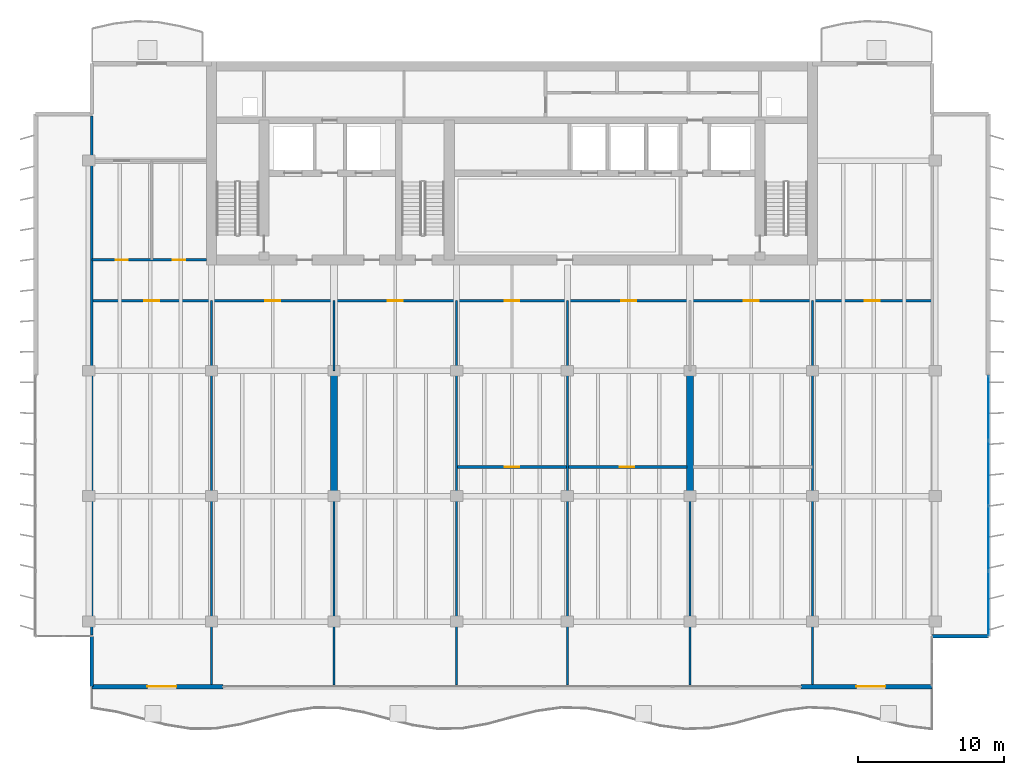
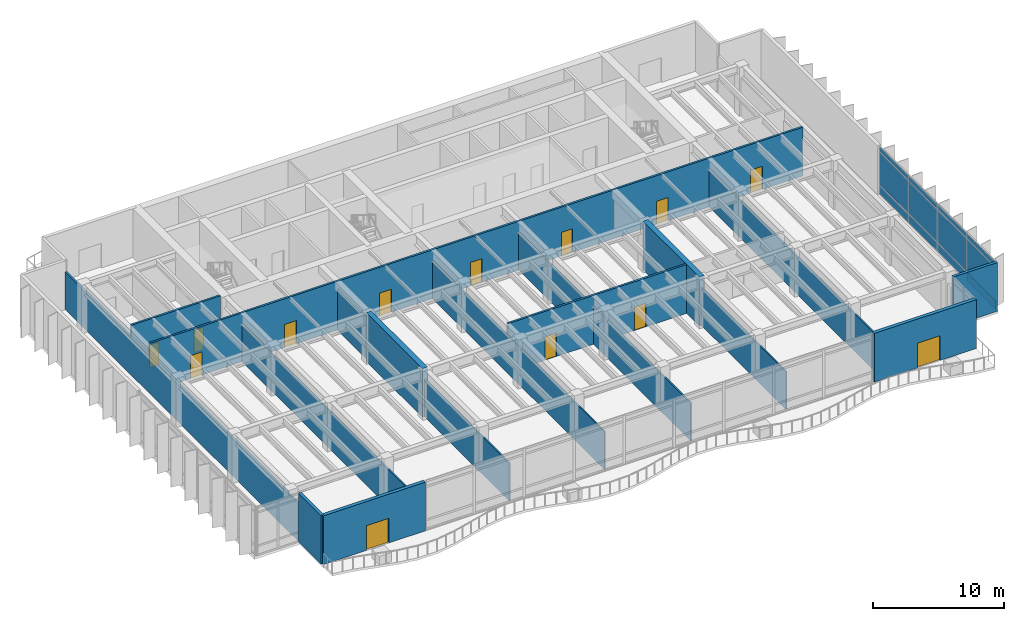
# One storey, part 8 of 15: 17 walls, 13 doors, 12 plates, 13 openings, 1 element without a shape of its own.
"""IFC4 building model written with IfcOpenShell, lengths in metres."""

from ifc_helpers import new_model, si_unit, direction, frame, frame_2d, origin, origin_2d, place, context, subcontext, project, spatial, rectangle, extrude, material, layer, layer_set, type_object, element, fill, aggregate, save


model = new_model("IFC4")

# Units and contexts
model_context = context("Model", 3, precision=1e-05, world=origin(), true_north=direction((0.0, 1.0)))
body_context = subcontext(model_context, "Body", "Model", "MODEL_VIEW")
ifc_project = project(units=[si_unit("LENGTHUNIT", "METRE"), si_unit("AREAUNIT", "SQUARE_METRE"), si_unit("VOLUMEUNIT", "CUBIC_METRE"), si_unit("PLANEANGLEUNIT", "RADIAN"), si_unit("MASSUNIT", "GRAM", prefix="KILO")], contexts=[model_context])

# Site, building, storey
site_placement = place(None, origin())
site = spatial("IfcSite", under=ifc_project, at=site_placement, CompositionType="ELEMENT")
building_placement = place(site_placement, origin())
building = spatial("IfcBuilding", under=site, at=building_placement, Name="Caelmar Bay Residences", CompositionType="ELEMENT")
storey_placement = place(building_placement, frame((0.0, 0.0, 183.60009765625)))
storey = spatial("IfcBuildingStorey", under=building, at=storey_placement, Name="L51", CompositionType="ELEMENT", Elevation=183.60009765625)

# Curtain wall, plates
ifc_material_1 = material(Name="Anodised bronze aluminium 6063-T6 and laminated glass", Category="aluminium")
ifc_layer_1 = layer(ifc_material_1, 0.179931640625)
ifc_layer_set_1 = layer_set([ifc_layer_1], Name="Anodised bronze aluminium 6063-T6 and laminated glass")
curtain_wall_type = type_object("IfcCurtainWallType", Name="CW7-CRN", PredefinedType="NOTDEFINED", material=ifc_layer_set_1)
curtain_wall_placement = place(storey_placement, origin())
curtain_wall = element("IfcCurtainWall", 1, at=curtain_wall_placement, inside=storey, type_object=curtain_wall_type, Name="CW7 curtain wall L51", PredefinedType="NOTDEFINED")
ifc_material_2 = material(Name="Bronze-tinted laminated low-E hurricane glass 32 mm", Category="glass")
ifc_layer_2 = layer(ifc_material_2, 0.031982421875)
ifc_layer_set_2 = layer_set([ifc_layer_2], Name="Bronze-tinted laminated low-E hurricane glass 32 mm")
plate_type = type_object("IfcPlateType", Name="CWP-GLZ32", PredefinedType="CURTAIN_PANEL", material=ifc_layer_set_2)
plate_1_placement = place(storey_placement, frame((71.550048828125, 26.842529296875, 0.080078125), z_axis=(0.0, 0.0, 1.0), x_axis=(0.0, -1.0, 0.0)))
plate_1 = element("IfcPlate", 2, at=plate_1_placement, type_object=plate_type, Name="CW7 panel 1.1", PredefinedType="CURTAIN_PANEL", context=body_context, shape_type="SweptSolid", body=[
    extrude(rectangle(XDim=4.35498046875, YDim=0.031982421875, at=origin_2d()), origin(), (0.0, 0.0, 1.0), 0.780029296875),
])
plate_2_placement = place(storey_placement, frame((71.550048828125, 26.842529296875, 0.93994140625), z_axis=(0.0, 0.0, 1.0), x_axis=(0.0, -1.0, 0.0)))
plate_2 = element("IfcPlate", 3, at=plate_2_placement, type_object=plate_type, Name="CW7 panel 1.2", PredefinedType="CURTAIN_PANEL", context=body_context, shape_type="SweptSolid", body=[
    extrude(rectangle(XDim=4.35498046875, YDim=0.031982421875, at=origin_2d()), origin(), (0.0, 0.0, 1.0), 3.02001953125),
])
plate_3_placement = place(storey_placement, frame((71.550048828125, 26.842529296875, 4.0400390625), z_axis=(0.0, 0.0, 1.0), x_axis=(0.0, -1.0, 0.0)))
plate_3 = element("IfcPlate", 4, at=plate_3_placement, type_object=plate_type, Name="CW7 panel 1.3", PredefinedType="CURTAIN_PANEL", context=body_context, shape_type="SweptSolid", body=[
    extrude(rectangle(XDim=4.35498046875, YDim=0.031982421875, at=origin_2d()), origin(), (0.0, 0.0, 1.0), 0.429931640625),
])
plate_4_placement = place(storey_placement, frame((71.550048828125, 22.387451171875, 0.080078125), z_axis=(0.0, 0.0, 1.0), x_axis=(0.0, -1.0, 0.0)))
plate_4 = element("IfcPlate", 5, at=plate_4_placement, type_object=plate_type, Name="CW7 panel 2.1", PredefinedType="CURTAIN_PANEL", context=body_context, shape_type="SweptSolid", body=[
    extrude(rectangle(XDim=4.39501953125, YDim=0.031982421875, at=origin_2d()), origin(), (0.0, 0.0, 1.0), 0.780029296875),
])
plate_5_placement = place(storey_placement, frame((71.550048828125, 22.387451171875, 0.93994140625), z_axis=(0.0, 0.0, 1.0), x_axis=(0.0, -1.0, 0.0)))
plate_5 = element("IfcPlate", 6, at=plate_5_placement, type_object=plate_type, Name="CW7 panel 2.2", PredefinedType="CURTAIN_PANEL", context=body_context, shape_type="SweptSolid", body=[
    extrude(rectangle(XDim=4.39501953125, YDim=0.031982421875, at=origin_2d()), origin(), (0.0, 0.0, 1.0), 3.02001953125),
])
plate_6_placement = place(storey_placement, frame((71.550048828125, 22.387451171875, 4.0400390625), z_axis=(0.0, 0.0, 1.0), x_axis=(0.0, -1.0, 0.0)))
plate_6 = element("IfcPlate", 7, at=plate_6_placement, type_object=plate_type, Name="CW7 panel 2.3", PredefinedType="CURTAIN_PANEL", context=body_context, shape_type="SweptSolid", body=[
    extrude(rectangle(XDim=4.39501953125, YDim=0.031982421875, at=origin_2d()), origin(), (0.0, 0.0, 1.0), 0.429931640625),
])
plate_7_placement = place(storey_placement, frame((71.550048828125, 17.91259765625, 0.080078125), z_axis=(0.0, 0.0, 1.0), x_axis=(0.0, -1.0, 0.0)))
plate_7 = element("IfcPlate", 8, at=plate_7_placement, type_object=plate_type, Name="CW7 panel 3.1", PredefinedType="CURTAIN_PANEL", context=body_context, shape_type="SweptSolid", body=[
    extrude(rectangle(XDim=4.39501953125, YDim=0.031982421875, at=origin_2d()), origin(), (0.0, 0.0, 1.0), 0.780029296875),
])
plate_8_placement = place(storey_placement, frame((71.550048828125, 17.91259765625, 0.93994140625), z_axis=(0.0, 0.0, 1.0), x_axis=(0.0, -1.0, 0.0)))
plate_8 = element("IfcPlate", 9, at=plate_8_placement, type_object=plate_type, Name="CW7 panel 3.2", PredefinedType="CURTAIN_PANEL", context=body_context, shape_type="SweptSolid", body=[
    extrude(rectangle(XDim=4.39501953125, YDim=0.031982421875, at=origin_2d()), origin(), (0.0, 0.0, 1.0), 3.02001953125),
])
plate_9_placement = place(storey_placement, frame((71.550048828125, 17.91259765625, 4.0400390625), z_axis=(0.0, 0.0, 1.0), x_axis=(0.0, -1.0, 0.0)))
plate_9 = element("IfcPlate", 10, at=plate_9_placement, type_object=plate_type, Name="CW7 panel 3.3", PredefinedType="CURTAIN_PANEL", context=body_context, shape_type="SweptSolid", body=[
    extrude(rectangle(XDim=4.39501953125, YDim=0.031982421875, at=origin_2d()), origin(), (0.0, 0.0, 1.0), 0.429931640625),
])
plate_10_placement = place(storey_placement, frame((71.550048828125, 13.45751953125, 0.080078125), z_axis=(0.0, 0.0, 1.0), x_axis=(0.0, -1.0, 0.0)))
plate_10 = element("IfcPlate", 11, at=plate_10_placement, type_object=plate_type, Name="CW7 panel 4.1", PredefinedType="CURTAIN_PANEL", context=body_context, shape_type="SweptSolid", body=[
    extrude(rectangle(XDim=4.35498046875, YDim=0.031982421875, at=origin_2d()), origin(), (0.0, 0.0, 1.0), 0.780029296875),
])
plate_11_placement = place(storey_placement, frame((71.550048828125, 13.45751953125, 0.93994140625), z_axis=(0.0, 0.0, 1.0), x_axis=(0.0, -1.0, 0.0)))
plate_11 = element("IfcPlate", 12, at=plate_11_placement, type_object=plate_type, Name="CW7 panel 4.2", PredefinedType="CURTAIN_PANEL", context=body_context, shape_type="SweptSolid", body=[
    extrude(rectangle(XDim=4.35498046875, YDim=0.031982421875, at=origin_2d()), origin(), (0.0, 0.0, 1.0), 3.02001953125),
])
plate_12_placement = place(storey_placement, frame((71.550048828125, 13.45751953125, 4.0400390625), z_axis=(0.0, 0.0, 1.0), x_axis=(0.0, -1.0, 0.0)))
plate_12 = element("IfcPlate", 13, at=plate_12_placement, type_object=plate_type, Name="CW7 panel 4.3", PredefinedType="CURTAIN_PANEL", context=body_context, shape_type="SweptSolid", body=[
    extrude(rectangle(XDim=4.35498046875, YDim=0.031982421875, at=origin_2d()), origin(), (0.0, 0.0, 1.0), 0.429931640625),
])
aggregate(curtain_wall, [plate_1, plate_2, plate_3, plate_4, plate_5, plate_6, plate_7, plate_8, plate_9, plate_10, plate_11, plate_12])

# Walls
ifc_material_3 = material(Name="Concrete f'c 55 MPa (8,000 psi)", Category="concrete")
ifc_layer_3 = layer(ifc_material_3, 0.449951171875)
ifc_layer_set_3 = layer_set([ifc_layer_3], Name="Concrete f'c 55 MPa (8,000 psi)")
wall_type_1 = type_object("IfcWallType", Name="SW-XSLB-450", PredefinedType="SHEAR", material=ifc_layer_set_3)
for number, where, z_axis, x_axis, name in (
    (14, (26.699951171875, 20.800048828125, 0.0), (0.0, 0.0, 1.0), (0.0, 1.0, 0.0), "L51 Transverse Cross-Slab Shear Wall W5"),
    (15, (51.10009765625, 20.800048828125, 0.0), (0.0, 0.0, 1.0), (0.0, 1.0, 0.0), "L51 Transverse Cross-Slab Shear Wall E8"),
):
    element("IfcWall", number, at=place(storey_placement, frame(where, z_axis=z_axis, x_axis=x_axis)), inside=storey, type_object=wall_type_1, Name=name, PredefinedType="SHEAR", context=body_context, shape_type="SweptSolid", body=[
        extrude(rectangle(XDim=8.599853515625, YDim=0.449951171875, at=frame_2d((4.2998046875, 0.0))), origin(), (0.0, 0.0, 1.0), 4.5498046875),
    ])
ifc_material_4 = material(Name="Double-stud acoustic fire-rated gypsum partition 180 mm")
ifc_layer_4 = layer(ifc_material_4, 0.179931640625)
ifc_layer_set_4 = layer_set([ifc_layer_4], Name="Double-stud acoustic fire-rated gypsum partition 180 mm")
wall_type_2 = type_object("IfcWallType", Name="W-COR-200", PredefinedType="PARTITIONING", material=ifc_layer_set_4)
wall_1_placement = place(storey_placement, frame((10.10009765625, 11.284912109375, 0.0), z_axis=(0.0, 0.0, 1.0), x_axis=(0.0, 1.0, 0.0)))
element("IfcWall", 16, at=wall_1_placement, inside=storey, type_object=wall_type_2, Name="L51 Partition Wall V001", PredefinedType="PARTITIONING", context=body_context, shape_type="SweptSolid", body=[
    extrude(rectangle(XDim=35.594970703125, YDim=0.179931640625, at=frame_2d((17.79736328125, 0.0))), origin(), (0.0, 0.0, 1.0), 3.513916015625),
])

# Wall, openings, doors
wall_2_placement = place(storey_placement, frame((35.10009765625, 22.800048828125, 0.0), z_axis=(0.0, 0.0, 1.0), x_axis=(1.0, 0.0, 0.0)))
wall_2 = element("IfcWall", 17, at=wall_2_placement, inside=storey, type_object=wall_type_2, Name="L51 Partition Wall H027", PredefinedType="PARTITIONING", context=body_context, shape_type="SweptSolid", body=[
    extrude(rectangle(XDim=15.77978515625, YDim=0.179931640625, at=frame_2d((7.889892578125, 0.0))), origin(), (0.0, 0.0, 1.0), 4.5498046875),
])
opening_1_placement = place(wall_2_placement, frame((3.300048828125, 0.0, 0.0)))
opening_1 = element("IfcOpeningElement", 18, at=opening_1_placement, cuts=wall_2, Name="Opening D-L51-134", PredefinedType="OPENING", context=body_context, shape_type="SweptSolid", body=[
    extrude(rectangle(XDim=1.0, YDim=2.199951171875, at=frame_2d((0.5, 1.10009765625))), frame((0.0, 0.099853515625, 0.0), z_axis=(0.0, -1.0, 0.0), x_axis=(1.0, 0.0, 0.0)), (0.0, 0.0, 1.0), 0.199951171875),
])
opening_2_placement = place(wall_2_placement, frame((11.18994140625, 0.0, 0.0)))
opening_2 = element("IfcOpeningElement", 19, at=opening_2_placement, cuts=wall_2, Name="Opening D-L51-135", PredefinedType="OPENING", context=body_context, shape_type="SweptSolid", body=[
    extrude(rectangle(XDim=1.0, YDim=2.199951171875, at=frame_2d((0.5, 1.10009765625))), frame((0.0, 0.099853515625, 0.0), z_axis=(0.0, -1.0, 0.0), x_axis=(1.0, 0.0, 0.0)), (0.0, 0.0, 1.0), 0.199951171875),
])
ifc_material_5 = material(Name="Fire-rated steel and walnut architectural door assembly", Category="steel")
ifc_layer_5 = layer(ifc_material_5, 0.050048828125)
ifc_layer_set_5 = layer_set([ifc_layer_5], Name="Fire-rated steel and walnut architectural door assembly")
door_type_1 = type_object("IfcDoorType", Name="D-UNIT-1000", OperationType="NOTDEFINED", PredefinedType="DOOR", material=ifc_layer_set_5)
door_1_placement = place(opening_1_placement, origin())
door_1 = element("IfcDoor", 20, at=door_1_placement, inside=storey, type_object=door_type_1, Name="L51 Sky Lobby 2 Executive Study Door", OperationType="SINGLE_SWING_RIGHT", OverallHeight=2.199951171875, OverallWidth=1.0, PredefinedType="DOOR", context=body_context, shape_type="SweptSolid", body=[
    extrude(rectangle(XDim=1.0, YDim=2.199951171875, at=frame_2d((0.5, 1.10009765625))), frame((0.0, 0.02490234375, 0.0), z_axis=(0.0, -1.0, 0.0), x_axis=(1.0, 0.0, 0.0)), (0.0, 0.0, 1.0), 0.050048828125),
])
fill(opening_1, door_1)
door_2_placement = place(opening_2_placement, origin())
door_2 = element("IfcDoor", 21, at=door_2_placement, inside=storey, type_object=door_type_1, Name="L51 Sky Lobby 2 Reading Room Door", OperationType="SINGLE_SWING_LEFT", OverallHeight=2.199951171875, OverallWidth=1.0, PredefinedType="DOOR", context=body_context, shape_type="SweptSolid", body=[
    extrude(rectangle(XDim=1.0, YDim=2.199951171875, at=frame_2d((0.5, 1.10009765625))), frame((0.0, 0.02490234375, 0.0), z_axis=(0.0, -1.0, 0.0), x_axis=(1.0, 0.0, 0.0)), (0.0, 0.0, 1.0), 0.050048828125),
])
fill(opening_2, door_2)

wall_3_placement = place(storey_placement, frame((10.10009765625, 34.199951171875, 0.0), z_axis=(0.0, 0.0, 1.0), x_axis=(1.0, 0.0, 0.0)))
wall_3 = element("IfcWall", 22, at=wall_3_placement, inside=storey, type_object=wall_type_2, Name="L51 Partition Wall H029", PredefinedType="PARTITIONING", context=body_context, shape_type="SweptSolid", body=[
    extrude(rectangle(XDim=57.599853515625, YDim=0.179931640625, at=frame_2d((28.7998046875, 0.0))), origin(), (0.0, 0.0, 1.0), 4.5498046875),
])
opening_3_placement = place(wall_3_placement, frame((44.675048828125, 0.0, 0.0)))
opening_3 = element("IfcOpeningElement", 23, at=opening_3_placement, cuts=wall_3, Name="Opening D-L51-123", PredefinedType="OPENING", context=body_context, shape_type="SweptSolid", body=[
    extrude(rectangle(XDim=1.050048828125, YDim=2.14990234375, at=frame_2d((0.52490234375, 1.074951171875))), frame((0.0, 0.099853515625, 0.0), z_axis=(0.0, -1.0, 0.0), x_axis=(1.0, 0.0, 0.0)), (0.0, 0.0, 1.0), 0.199951171875),
])
opening_4_placement = place(wall_3_placement, frame((52.97509765625, 0.0, 0.0)))
opening_4 = element("IfcOpeningElement", 24, at=opening_4_placement, cuts=wall_3, Name="Opening D-L51-124", PredefinedType="OPENING", context=body_context, shape_type="SweptSolid", body=[
    extrude(rectangle(XDim=1.050048828125, YDim=2.14990234375, at=frame_2d((0.52490234375, 1.074951171875))), frame((0.0, 0.099853515625, 0.0), z_axis=(0.0, -1.0, 0.0), x_axis=(1.0, 0.0, 0.0)), (0.0, 0.0, 1.0), 0.199951171875),
])
opening_5_placement = place(wall_3_placement, frame((3.574951171875, 0.0, 0.0)))
opening_5 = element("IfcOpeningElement", 25, at=opening_5_placement, cuts=wall_3, Name="Opening D-L51-126", PredefinedType="OPENING", context=body_context, shape_type="SweptSolid", body=[
    extrude(rectangle(XDim=1.050048828125, YDim=2.14990234375, at=frame_2d((0.52490234375, 1.074951171875))), frame((0.0, 0.099853515625, 0.0), z_axis=(0.0, -1.0, 0.0), x_axis=(1.0, 0.0, 0.0)), (0.0, 0.0, 1.0), 0.199951171875),
])
opening_6_placement = place(wall_3_placement, frame((11.875, 0.0, 0.0)))
opening_6 = element("IfcOpeningElement", 26, at=opening_6_placement, cuts=wall_3, Name="Opening D-L51-127", PredefinedType="OPENING", context=body_context, shape_type="SweptSolid", body=[
    extrude(rectangle(XDim=1.050048828125, YDim=2.14990234375, at=frame_2d((0.52490234375, 1.074951171875))), frame((0.0, 0.099853515625, 0.0), z_axis=(0.0, -1.0, 0.0), x_axis=(1.0, 0.0, 0.0)), (0.0, 0.0, 1.0), 0.199951171875),
])
opening_7_placement = place(wall_3_placement, frame((20.27490234375, 0.0, 0.0)))
opening_7 = element("IfcOpeningElement", 27, at=opening_7_placement, cuts=wall_3, Name="Opening D-L51-128", PredefinedType="OPENING", context=body_context, shape_type="SweptSolid", body=[
    extrude(rectangle(XDim=1.050048828125, YDim=2.14990234375, at=frame_2d((0.52490234375, 1.074951171875))), frame((0.0, 0.099853515625, 0.0), z_axis=(0.0, -1.0, 0.0), x_axis=(1.0, 0.0, 0.0)), (0.0, 0.0, 1.0), 0.199951171875),
])
opening_8_placement = place(wall_3_placement, frame((28.300048828125, 0.0, 0.0)))
opening_8 = element("IfcOpeningElement", 28, at=opening_8_placement, cuts=wall_3, Name="Opening D-L51-129", PredefinedType="OPENING", context=body_context, shape_type="SweptSolid", body=[
    extrude(rectangle(XDim=1.0, YDim=2.199951171875, at=frame_2d((0.5, 1.10009765625))), frame((0.0, 0.099853515625, 0.0), z_axis=(0.0, -1.0, 0.0), x_axis=(1.0, 0.0, 0.0)), (0.0, 0.0, 1.0), 0.199951171875),
])
opening_9_placement = place(wall_3_placement, frame((36.300048828125, 0.0, 0.0)))
opening_9 = element("IfcOpeningElement", 29, at=opening_9_placement, cuts=wall_3, Name="Opening D-L51-130", PredefinedType="OPENING", context=body_context, shape_type="SweptSolid", body=[
    extrude(rectangle(XDim=1.0, YDim=2.199951171875, at=frame_2d((0.5, 1.10009765625))), frame((0.0, 0.099853515625, 0.0), z_axis=(0.0, -1.0, 0.0), x_axis=(1.0, 0.0, 0.0)), (0.0, 0.0, 1.0), 0.199951171875),
])
ifc_layer_6 = layer(ifc_material_5, 0.050048828125)
ifc_layer_set_6 = layer_set([ifc_layer_6], Name="Fire-rated steel and walnut architectural door assembly")
door_type_2 = type_object("IfcDoorType", Name="D-FSAE-1050", OperationType="NOTDEFINED", PredefinedType="DOOR", material=ifc_layer_set_6)
door_3_placement = place(opening_3_placement, origin())
door_3 = element("IfcDoor", 30, at=door_3_placement, inside=storey, type_object=door_type_2, Name="L51 Sky Lobby 2 Fitness Studio Door", OperationType="SINGLE_SWING_LEFT", OverallHeight=2.14990234375, OverallWidth=1.050048828125, PredefinedType="DOOR", context=body_context, shape_type="SweptSolid", body=[
    extrude(rectangle(XDim=1.050048828125, YDim=2.14990234375, at=frame_2d((0.52490234375, 1.074951171875))), frame((0.0, 0.02490234375, 0.0), z_axis=(0.0, -1.0, 0.0), x_axis=(1.0, 0.0, 0.0)), (0.0, 0.0, 1.0), 0.050048828125),
])
fill(opening_3, door_3)
door_4_placement = place(opening_4_placement, origin())
door_4 = element("IfcDoor", 31, at=door_4_placement, inside=storey, type_object=door_type_2, Name="L51 Sky Lobby 2 Wellness Studio Door", OperationType="SINGLE_SWING_RIGHT", OverallHeight=2.14990234375, OverallWidth=1.050048828125, PredefinedType="DOOR", context=body_context, shape_type="SweptSolid", body=[
    extrude(rectangle(XDim=1.050048828125, YDim=2.14990234375, at=frame_2d((0.52490234375, 1.074951171875))), frame((0.0, 0.02490234375, 0.0), z_axis=(0.0, -1.0, 0.0), x_axis=(1.0, 0.0, 0.0)), (0.0, 0.0, 1.0), 0.050048828125),
])
fill(opening_4, door_4)
door_5_placement = place(opening_5_placement, origin())
door_5 = element("IfcDoor", 32, at=door_5_placement, inside=storey, type_object=door_type_2, Name="L51 Sky Lobby 2 Co-Working Suite Door", OperationType="SINGLE_SWING_RIGHT", OverallHeight=2.14990234375, OverallWidth=1.050048828125, PredefinedType="DOOR", context=body_context, shape_type="SweptSolid", body=[
    extrude(rectangle(XDim=1.050048828125, YDim=2.14990234375, at=frame_2d((0.52490234375, 1.074951171875))), frame((0.0, 0.02490234375, 0.0), z_axis=(0.0, -1.0, 0.0), x_axis=(1.0, 0.0, 0.0)), (0.0, 0.0, 1.0), 0.050048828125),
])
fill(opening_5, door_5)
door_6_placement = place(opening_6_placement, origin())
door_6 = element("IfcDoor", 33, at=door_6_placement, inside=storey, type_object=door_type_2, Name="L51 Sky Lobby 2 Study Library Door", OperationType="SINGLE_SWING_LEFT", OverallHeight=2.14990234375, OverallWidth=1.050048828125, PredefinedType="DOOR", context=body_context, shape_type="SweptSolid", body=[
    extrude(rectangle(XDim=1.050048828125, YDim=2.14990234375, at=frame_2d((0.52490234375, 1.074951171875))), frame((0.0, 0.02490234375, 0.0), z_axis=(0.0, -1.0, 0.0), x_axis=(1.0, 0.0, 0.0)), (0.0, 0.0, 1.0), 0.050048828125),
])
fill(opening_6, door_6)
door_7_placement = place(opening_7_placement, origin())
door_7 = element("IfcDoor", 34, at=door_7_placement, inside=storey, type_object=door_type_2, Name="L51 Sky Lobby 2 Residents Lounge Door", OperationType="SINGLE_SWING_RIGHT", OverallHeight=2.14990234375, OverallWidth=1.050048828125, PredefinedType="DOOR", context=body_context, shape_type="SweptSolid", body=[
    extrude(rectangle(XDim=1.050048828125, YDim=2.14990234375, at=frame_2d((0.52490234375, 1.074951171875))), frame((0.0, 0.02490234375, 0.0), z_axis=(0.0, -1.0, 0.0), x_axis=(1.0, 0.0, 0.0)), (0.0, 0.0, 1.0), 0.050048828125),
])
fill(opening_7, door_7)
door_8_placement = place(opening_8_placement, origin())
door_8 = element("IfcDoor", 35, at=door_8_placement, inside=storey, type_object=door_type_1, Name="L51 Sky Lobby 2 Tea Pantry Door", OperationType="SINGLE_SWING_LEFT", OverallHeight=2.199951171875, OverallWidth=1.0, PredefinedType="DOOR", context=body_context, shape_type="SweptSolid", body=[
    extrude(rectangle(XDim=1.0, YDim=2.199951171875, at=frame_2d((0.5, 1.10009765625))), frame((0.0, 0.02490234375, 0.0), z_axis=(0.0, -1.0, 0.0), x_axis=(1.0, 0.0, 0.0)), (0.0, 0.0, 1.0), 0.050048828125),
])
fill(opening_8, door_8)
door_9_placement = place(opening_9_placement, origin())
door_9 = element("IfcDoor", 36, at=door_9_placement, inside=storey, type_object=door_type_1, Name="L51 Sky Lobby 2 Service Kitchen Door", OperationType="SINGLE_SWING_RIGHT", OverallHeight=2.199951171875, OverallWidth=1.0, PredefinedType="DOOR", context=body_context, shape_type="SweptSolid", body=[
    extrude(rectangle(XDim=1.0, YDim=2.199951171875, at=frame_2d((0.5, 1.10009765625))), frame((0.0, 0.02490234375, 0.0), z_axis=(0.0, -1.0, 0.0), x_axis=(1.0, 0.0, 0.0)), (0.0, 0.0, 1.0), 0.050048828125),
])
fill(opening_9, door_9)

wall_4_placement = place(storey_placement, frame((10.10009765625, 37.0, 0.0), z_axis=(0.0, 0.0, 1.0), x_axis=(1.0, 0.0, 0.0)))
wall_4 = element("IfcWall", 37, at=wall_4_placement, inside=storey, type_object=wall_type_2, Name="L51 Partition Wall H030", PredefinedType="PARTITIONING", context=body_context, shape_type="SweptSolid", body=[
    extrude(rectangle(XDim=7.844970703125, YDim=0.179931640625, at=frame_2d((3.92236328125, 0.0))), origin(), (0.0, 0.0, 1.0), 4.5498046875),
])
opening_10_placement = place(wall_4_placement, frame((1.625, 0.0, 0.0)))
opening_10 = element("IfcOpeningElement", 38, at=opening_10_placement, cuts=wall_4, Name="Opening D-L51-131", PredefinedType="OPENING", context=body_context, shape_type="SweptSolid", body=[
    extrude(rectangle(XDim=0.85009765625, YDim=2.10009765625, at=frame_2d((0.425048828125, 1.050048828125))), frame((0.0, 0.099853515625, 0.0), z_axis=(0.0, -1.0, 0.0), x_axis=(1.0, 0.0, 0.0)), (0.0, 0.0, 1.0), 0.199951171875),
])
opening_11_placement = place(wall_4_placement, frame((5.547607421875, 0.0, 0.0)))
opening_11 = element("IfcOpeningElement", 39, at=opening_11_placement, cuts=wall_4, Name="Opening D-L51-132", PredefinedType="OPENING", context=body_context, shape_type="SweptSolid", body=[
    extrude(rectangle(XDim=0.85009765625, YDim=2.10009765625, at=frame_2d((0.425048828125, 1.050048828125))), frame((0.0, 0.099853515625, 0.0), z_axis=(0.0, -1.0, 0.0), x_axis=(1.0, 0.0, 0.0)), (0.0, 0.0, 1.0), 0.199951171875),
])
ifc_layer_7 = layer(ifc_material_5, 0.050048828125)
ifc_layer_set_7 = layer_set([ifc_layer_7], Name="Fire-rated steel and walnut architectural door assembly")
door_type_3 = type_object("IfcDoorType", Name="D-CORE-850", OperationType="NOTDEFINED", PredefinedType="DOOR", material=ifc_layer_set_7)
door_10_placement = place(opening_10_placement, origin())
door_10 = element("IfcDoor", 40, at=door_10_placement, inside=storey, type_object=door_type_3, Name="L51 Sky Lobby 2 Public Restroom Door", OperationType="SINGLE_SWING_LEFT", OverallHeight=2.10009765625, OverallWidth=0.85009765625, PredefinedType="DOOR", context=body_context, shape_type="SweptSolid", body=[
    extrude(rectangle(XDim=0.85009765625, YDim=2.10009765625, at=frame_2d((0.425048828125, 1.050048828125))), frame((0.0, 0.02490234375, 0.0), z_axis=(0.0, -1.0, 0.0), x_axis=(1.0, 0.0, 0.0)), (0.0, 0.0, 1.0), 0.050048828125),
])
fill(opening_10, door_10)
door_11_placement = place(opening_11_placement, origin())
door_11 = element("IfcDoor", 41, at=door_11_placement, inside=storey, type_object=door_type_3, Name="L51 Sky Lobby 2 Accessible WC Door", OperationType="SINGLE_SWING_RIGHT", OverallHeight=2.10009765625, OverallWidth=0.85009765625, PredefinedType="DOOR", context=body_context, shape_type="SweptSolid", body=[
    extrude(rectangle(XDim=0.85009765625, YDim=2.10009765625, at=frame_2d((0.425048828125, 1.050048828125))), frame((0.0, 0.02490234375, 0.0), z_axis=(0.0, -1.0, 0.0), x_axis=(1.0, 0.0, 0.0)), (0.0, 0.0, 1.0), 0.050048828125),
])
fill(opening_11, door_11)

# Walls
ifc_material_6 = material(Name="Precast concrete f'c 40 MPa (6,000 psi)", Category="concrete")
ifc_layer_8 = layer(ifc_material_6, 0.25)
ifc_layer_set_8 = layer_set([ifc_layer_8], Name="Precast concrete f'c 40 MPa (6,000 psi)")
wall_type_3 = type_object("IfcWallType", Name="W-EXT-250", PredefinedType="ELEMENTEDWALL", material=ifc_layer_set_8)
wall_5_placement = place(storey_placement, frame((10.10009765625, 11.199951171875, 0.0), z_axis=(0.0, 0.0, 1.0), x_axis=(0.0, -1.0, 0.0)))
element("IfcWall", 42, at=wall_5_placement, inside=storey, type_object=wall_type_3, Name="L51 SW Notch Return Wall", PredefinedType="ELEMENTEDWALL", context=body_context, shape_type="SweptSolid", body=[
    extrude(rectangle(XDim=3.449951171875, YDim=0.25, at=frame_2d((1.72509765625, 0.0))), origin(), (0.0, 0.0, 1.0), 4.5498046875),
])
wall_6_placement = place(storey_placement, frame((67.699951171875, 11.199951171875, 0.0), z_axis=(0.0, 0.0, 1.0), x_axis=(1.0, 0.0, 0.0)))
element("IfcWall", 43, at=wall_6_placement, inside=storey, type_object=wall_type_3, Name="L51 SE Notch Return Wall", PredefinedType="ELEMENTEDWALL", context=body_context, shape_type="SweptSolid", body=[
    extrude(rectangle(XDim=3.85009765625, YDim=0.25, at=frame_2d((1.925048828125, 0.0))), origin(), (0.0, 0.0, 1.0), 4.5498046875),
])

# Wall, opening, door
ifc_layer_9 = layer(ifc_material_6, 0.300048828125)
ifc_layer_set_9 = layer_set([ifc_layer_9], Name="Precast concrete f'c 40 MPa (6,000 psi)")
wall_type_4 = type_object("IfcWallType", Name="W-EXT-300", PredefinedType="STANDARD", material=ifc_layer_set_9)
wall_7_placement = place(storey_placement, frame((67.699951171875, 7.75, 0.0), z_axis=(0.0, 0.0, 1.0), x_axis=(-1.0, 0.0, 0.0)))
wall_7 = element("IfcWall", 44, at=wall_7_placement, inside=storey, type_object=wall_type_4, Name="L51 South-East Pier Wall", PredefinedType="STANDARD", context=body_context, shape_type="SweptSolid", body=[
    extrude(rectangle(XDim=9.0, YDim=0.300048828125, at=frame_2d((4.5, 0.0))), origin(), (0.0, 0.0, 1.0), 4.5498046875),
])
opening_12_placement = place(wall_7_placement, frame((3.199951171875, 0.0, 0.0)))
opening_12 = element("IfcOpeningElement", 45, at=opening_12_placement, cuts=wall_7, Name="Opening L51-BD02", PredefinedType="OPENING", context=body_context, shape_type="SweptSolid", body=[
    extrude(rectangle(XDim=2.0, YDim=2.300048828125, at=frame_2d((1.0, 1.14990234375))), frame((0.0, 0.159912109375, 0.0), z_axis=(0.0, -1.0, 0.0), x_axis=(1.0, 0.0, 0.0)), (0.0, 0.0, 1.0), 0.320068359375),
])
ifc_material_7 = material(Name="Anodised bronze thermally broken sliding glass door", Category="glass")
ifc_layer_10 = layer(ifc_material_7, 0.050048828125)
ifc_layer_set_10 = layer_set([ifc_layer_10], Name="Anodised bronze thermally broken sliding glass door")
door_type_4 = type_object("IfcDoorType", Name="D-BAL-2000", OperationType="DOUBLE_DOOR_SLIDING", PredefinedType="DOOR", material=ifc_layer_set_10)
door_12_placement = place(opening_12_placement, origin())
door_12 = element("IfcDoor", 46, at=door_12_placement, inside=storey, type_object=door_type_4, Name="L51 Sky Terrace Door East", OperationType="DOUBLE_DOOR_SLIDING", OverallHeight=2.300048828125, OverallWidth=2.0, PredefinedType="DOOR", context=body_context, shape_type="SweptSolid", body=[
    extrude(rectangle(XDim=2.0, YDim=2.300048828125, at=frame_2d((1.0, 1.14990234375))), frame((0.0, 0.02490234375, 0.0), z_axis=(0.0, -1.0, 0.0), x_axis=(1.0, 0.0, 0.0)), (0.0, 0.0, 1.0), 0.050048828125),
])
fill(opening_12, door_12)

wall_8_placement = place(storey_placement, frame((19.10009765625, 7.75, 0.0), z_axis=(0.0, 0.0, 1.0), x_axis=(-1.0, 0.0, 0.0)))
wall_8 = element("IfcWall", 47, at=wall_8_placement, inside=storey, type_object=wall_type_4, Name="L51 South-West Pier Wall", PredefinedType="STANDARD", context=body_context, shape_type="SweptSolid", body=[
    extrude(rectangle(XDim=9.0, YDim=0.300048828125, at=frame_2d((4.5, 0.0))), origin(), (0.0, 0.0, 1.0), 4.5498046875),
])
opening_13_placement = place(wall_8_placement, frame((3.199951171875, 0.0, 0.0)))
opening_13 = element("IfcOpeningElement", 48, at=opening_13_placement, cuts=wall_8, Name="Opening L51-BD01", PredefinedType="OPENING", context=body_context, shape_type="SweptSolid", body=[
    extrude(rectangle(XDim=2.0, YDim=2.300048828125, at=frame_2d((1.0, 1.14990234375))), frame((0.0, 0.159912109375, 0.0), z_axis=(0.0, -1.0, 0.0), x_axis=(1.0, 0.0, 0.0)), (0.0, 0.0, 1.0), 0.320068359375),
])
door_13_placement = place(opening_13_placement, origin())
door_13 = element("IfcDoor", 49, at=door_13_placement, inside=storey, type_object=door_type_4, Name="L51 Sky Terrace Door West", OperationType="DOUBLE_DOOR_SLIDING", OverallHeight=2.300048828125, OverallWidth=2.0, PredefinedType="DOOR", context=body_context, shape_type="SweptSolid", body=[
    extrude(rectangle(XDim=2.0, YDim=2.300048828125, at=frame_2d((1.0, 1.14990234375))), frame((0.0, 0.02490234375, 0.0), z_axis=(0.0, -1.0, 0.0), x_axis=(1.0, 0.0, 0.0)), (0.0, 0.0, 1.0), 0.050048828125),
])
fill(opening_13, door_13)

# Walls
ifc_material_8 = material(Name="Acoustic metal-stud gypsum partition 120 mm")
ifc_layer_11 = layer(ifc_material_8, 0.1201171875)
ifc_layer_set_11 = layer_set([ifc_layer_11], Name="Acoustic metal-stud gypsum partition 120 mm")
wall_type_5 = type_object("IfcWallType", Name="W-PRT-120", PredefinedType="PARTITIONING", material=ifc_layer_set_11)
wall_9_placement = place(storey_placement, frame((18.300048828125, 7.89501953125, 0.0), z_axis=(0.0, 0.0, 1.0), x_axis=(0.0, 1.0, 0.0)))
element("IfcWall", 50, at=wall_9_placement, inside=storey, type_object=wall_type_5, Name="L51 Partition Wall V003", PredefinedType="PARTITIONING", context=body_context, shape_type="SweptSolid", body=[
    extrude(rectangle(XDim=26.304931640625, YDim=0.1201171875, at=frame_2d((13.15234375, 0.0))), origin(), (0.0, 0.0, 1.0), 3.513916015625),
])
wall_10_placement = place(storey_placement, frame((26.699951171875, 7.85498046875, 0.0), z_axis=(0.0, 0.0, 1.0), x_axis=(0.0, 1.0, 0.0)))
element("IfcWall", 51, at=wall_10_placement, inside=storey, type_object=wall_type_5, Name="L51 Partition Wall V006", PredefinedType="PARTITIONING", context=body_context, shape_type="SweptSolid", body=[
    extrude(rectangle(XDim=12.93994140625, YDim=0.1201171875, at=frame_2d((6.469970703125, 0.0))), origin(), (0.0, 0.0, 1.0), 3.513916015625),
])
wall_11_placement = place(storey_placement, frame((26.699951171875, 29.405029296875, 0.0), z_axis=(0.0, 0.0, 1.0), x_axis=(0.0, 1.0, 0.0)))
element("IfcWall", 52, at=wall_11_placement, inside=storey, type_object=wall_type_5, Name="L51 Partition Wall V007", PredefinedType="PARTITIONING", context=body_context, shape_type="SweptSolid", body=[
    extrude(rectangle(XDim=4.794921875, YDim=0.1201171875, at=frame_2d((2.3974609375, 0.0))), origin(), (0.0, 0.0, 1.0), 3.8349609375),
])
for number, where, z_axis, x_axis, name in (
    (53, (35.10009765625, 7.85498046875, 0.0), (0.0, 0.0, 1.0), (0.0, 1.0, 0.0), "L51 Partition Wall V011"),
    (54, (42.699951171875, 7.85498046875, 0.0), (0.0, 0.0, 1.0), (0.0, 1.0, 0.0), "L51 Partition Wall V013"),
):
    element("IfcWall", number, at=place(storey_placement, frame(where, z_axis=z_axis, x_axis=x_axis)), inside=storey, type_object=wall_type_5, Name=name, PredefinedType="PARTITIONING", context=body_context, shape_type="SweptSolid", body=[
        extrude(rectangle(XDim=26.344970703125, YDim=0.1201171875, at=frame_2d((13.17236328125, 0.0))), origin(), (0.0, 0.0, 1.0), 3.513916015625),
    ])
wall_12_placement = place(storey_placement, frame((51.10009765625, 7.85498046875, 0.0), z_axis=(0.0, 0.0, 1.0), x_axis=(0.0, 1.0, 0.0)))
element("IfcWall", 55, at=wall_12_placement, inside=storey, type_object=wall_type_5, Name="L51 Partition Wall V021", PredefinedType="PARTITIONING", context=body_context, shape_type="SweptSolid", body=[
    extrude(rectangle(XDim=12.93994140625, YDim=0.1201171875, at=frame_2d((6.469970703125, 0.0))), origin(), (0.0, 0.0, 1.0), 3.513916015625),
])
wall_13_placement = place(storey_placement, frame((59.5, 7.89501953125, 0.0), z_axis=(0.0, 0.0, 1.0), x_axis=(0.0, 1.0, 0.0)))
element("IfcWall", 56, at=wall_13_placement, inside=storey, type_object=wall_type_5, Name="L51 Partition Wall V025", PredefinedType="PARTITIONING", context=body_context, shape_type="SweptSolid", body=[
    extrude(rectangle(XDim=26.304931640625, YDim=0.1201171875, at=frame_2d((13.15234375, 0.0))), origin(), (0.0, 0.0, 1.0), 3.513916015625),
])

save(model, "model.ifc")
